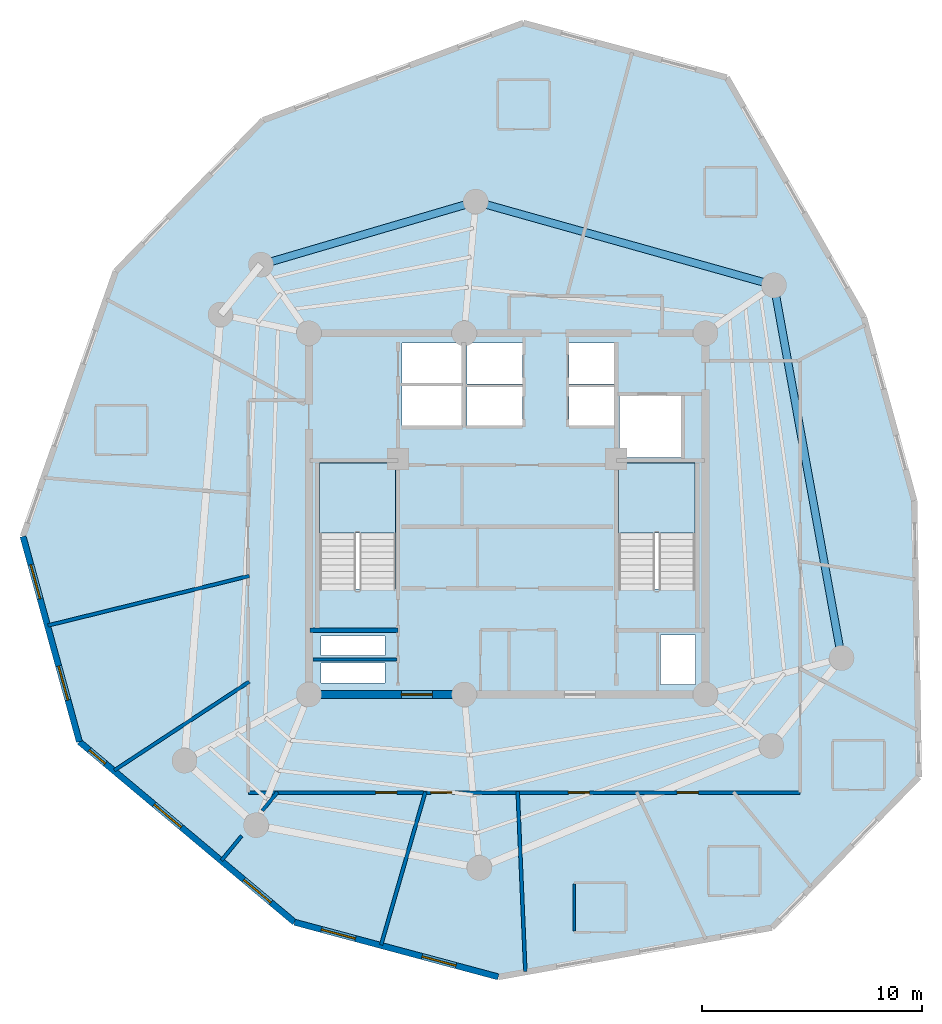
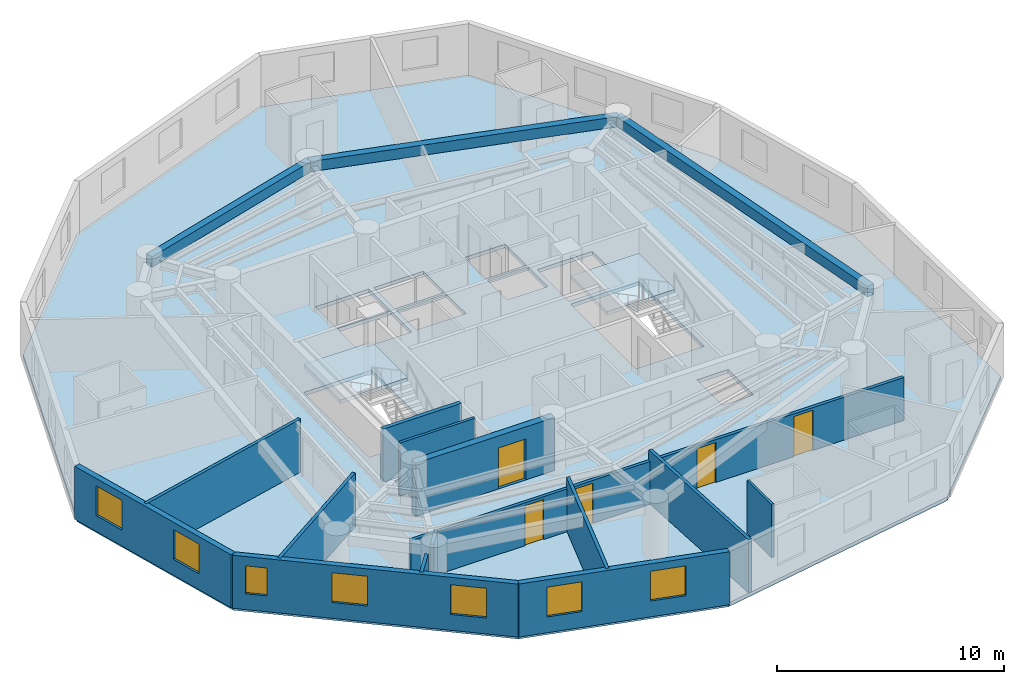
# One storey, part 2 of 7: 14 walls, 7 windows, 5 doors, 3 beams, 3 slabs, 12 openings, 2 elements without a shape of their own.
"""IFC4 building model written with IfcOpenShell, lengths in metres."""

from ifc_helpers import new_model, si_unit, direction, frame, frame_2d, origin, origin_with_axes, origin_2d, place, context, subcontext, project, spatial, polyline, rectangle, outline, extrude, source, transform, mapped, material, layer, layer_set, material_profile, profile_set, type_object, element, fill, aggregate, save


model = new_model("IFC4")

# Units and contexts
model_context = context("Model", 3, precision=1e-05, world=origin(), true_north=direction((0.0, 1.0)))
body_context = subcontext(model_context, "Body", "Model", "MODEL_VIEW")
ifc_project = project(units=[si_unit("LENGTHUNIT", "METRE"), si_unit("AREAUNIT", "SQUARE_METRE"), si_unit("VOLUMEUNIT", "CUBIC_METRE"), si_unit("PLANEANGLEUNIT", "RADIAN"), si_unit("MASSUNIT", "GRAM", prefix="KILO")], contexts=[model_context])

# Site, building, storey
site_placement = place(None, origin())
site = spatial("IfcSite", under=ifc_project, at=site_placement, CompositionType="ELEMENT")
building_placement = place(site_placement, origin())
building = spatial("IfcBuilding", under=site, at=building_placement, Name="Karkom Vertical University and Central Library", CompositionType="ELEMENT")
storey_placement = place(building_placement, frame((0.0, 0.0, 226.050048828125)))
storey = spatial("IfcBuildingStorey", under=building, at=storey_placement, Name="L66", CompositionType="ELEMENT", Elevation=226.050048828125)

# Beams
ifc_material_1 = material(Name="Precast concrete C45/55", Category="concrete")
ifc_material_profile = material_profile(ifc_material_1, rectangle(XDim=0.35009765625, YDim=0.550048828125, at=origin_2d()), Name="SPB-350x550")
ifc_profile_set = profile_set([ifc_material_profile], Name="Precast concrete C45/55")
beam_type = type_object("IfcBeamType", Name="STR-BM-SP-2", PredefinedType="SPANDREL", material=ifc_profile_set)
shared_shape_1 = source(origin_with_axes(), body_context, "Body", "SweptSolid", [
    extrude(rectangle(XDim=0.35009765625, YDim=0.550048828125, at=origin_2d()), origin(), (0.0, 0.0, 1.0), 17.19970703125),
])
beam_1_placement = place(storey_placement, frame((43.681884765625, 19.9560546875, 2.574951171875), z_axis=(-0.178423249727, 0.983953832228, 0.0), x_axis=(-0.983953832228, -0.178423249727, 0.0)))
element("IfcBeam", 1, at=beam_1_placement, inside=storey, type_object=beam_type, Name="Level 66 Perimeter Spandrel Beam 01", PredefinedType="SPANDREL", context=body_context, shape_type="MappedRepresentation", body=[
    mapped(shared_shape_1, transform((0.0, 0.0, 0.0), scale=1.0)),
])
shared_shape_2 = source(origin_with_axes(), body_context, "Body", "SweptSolid", [
    extrude(rectangle(XDim=0.35009765625, YDim=0.550048828125, at=origin_2d()), origin(), (0.0, 0.0, 1.0), 14.0625),
])
beam_2_placement = place(storey_placement, frame((40.613037109375, 36.8798828125, 2.574951171875), z_axis=(-0.962854853531, 0.270019501207, 0.0), x_axis=(-0.270019501207, -0.962854853531, 0.0)))
element("IfcBeam", 2, at=beam_2_placement, inside=storey, type_object=beam_type, Name="Level 66 Perimeter Spandrel Beam 02", PredefinedType="SPANDREL", context=body_context, shape_type="MappedRepresentation", body=[
    mapped(shared_shape_2, transform((0.0, 0.0, 0.0), scale=1.0)),
])
shared_shape_3 = source(origin_with_axes(), body_context, "Body", "SweptSolid", [
    extrude(rectangle(XDim=0.35009765625, YDim=0.550048828125, at=origin_2d()), origin(), (0.0, 0.0, 1.0), 10.164794921875),
])
beam_3_placement = place(storey_placement, frame((27.072998046875, 40.677001953125, 2.574951171875), z_axis=(-0.959485124536, -0.281759286971, 0.0), x_axis=(0.281759286971, -0.959485124536, 0.0)))
element("IfcBeam", 3, at=beam_3_placement, inside=storey, type_object=beam_type, Name="Level 66 Perimeter Spandrel Beam 03", PredefinedType="SPANDREL", context=body_context, shape_type="MappedRepresentation", body=[
    mapped(shared_shape_3, transform((0.0, 0.0, 0.0), scale=1.0)),
])

# Stair, slab
ifc_material_2 = material(Name="Concrete C45/55", Category="concrete")
stair_type = type_object("IfcStairType", Name="INT-STR-ST-MAIN", PredefinedType="HALF_TURN_STAIR", material=ifc_material_2)
stair_1_placement = place(storey_placement, origin())
stair_1 = element("IfcStair", 4, at=stair_1_placement, inside=storey, type_object=stair_type, Name="Level 66 Tower Protected Exit Stair ST-1", PredefinedType="HALF_TURN_STAIR")
ifc_layer_1 = layer(ifc_material_2, 0.199951171875)
ifc_layer_set_1 = layer_set([ifc_layer_1], Name="Concrete C45/55")
slab_type_1 = type_object("IfcSlabType", Name="INT-SLB-LANDING", PredefinedType="LANDING", material=ifc_layer_set_1)
slab_1_placement = place(storey_placement, frame((0.0, 0.0, 1.324951171875)))
slab_1 = element("IfcSlab", 5, at=slab_1_placement, type_object=slab_type_1, Name="ST-1 landing 1", PredefinedType="LANDING", context=body_context, shape_type="SweptSolid", body=[
    extrude(outline(polyline([(23.43994140625, 25.6298828125), (23.43994140625, 28.820068359375), (19.97998046875, 28.820068359375), (19.97998046875, 25.6298828125), (23.43994140625, 25.6298828125)])), origin(), (0.0, 0.0, 1.0), 0.199951171875),
])
aggregate(stair_1, [slab_1])

stair_2_placement = place(storey_placement, origin())
stair_2 = element("IfcStair", 6, at=stair_2_placement, inside=storey, type_object=stair_type, Name="Level 66 Tower Protected Exit Stair ST-2", PredefinedType="HALF_TURN_STAIR")
slab_2_placement = place(storey_placement, frame((0.0, 0.0, 1.324951171875)))
slab_2 = element("IfcSlab", 7, at=slab_2_placement, type_object=slab_type_1, Name="ST-2 landing 1", PredefinedType="LANDING", context=body_context, shape_type="SweptSolid", body=[
    extrude(outline(polyline([(37.02001953125, 25.6298828125), (37.02001953125, 28.820068359375), (33.56005859375, 28.820068359375), (33.56005859375, 25.6298828125), (37.02001953125, 25.6298828125)])), origin(), (0.0, 0.0, 1.0), 0.199951171875),
])
aggregate(stair_2, [slab_2])

# Slab
ifc_material_3 = material(Name="Concrete C40/50", Category="concrete")
ifc_layer_2 = layer(ifc_material_3, 0.199951171875)
ifc_layer_set_2 = layer_set([ifc_layer_2], Name="Concrete C40/50")
slab_type_2 = type_object("IfcSlabType", Name="STR-SLB-FLR-200", PredefinedType="FLOOR", material=ifc_layer_set_2)
slab_3_placement = place(storey_placement, frame((0.0, 0.0, -0.199951171875)))
element("IfcSlab", 8, at=slab_3_placement, inside=storey, type_object=slab_type_2, Name="Level 66 Tower Structural Floor Slab", PredefinedType="FLOOR", context=body_context, shape_type="SweptSolid", body=[
    extrude(outline(polyline([(6.518798828125, 25.4736328125), (9.0791015625, 16.1533203125), (18.847412109375, 7.959716796875), (28.09619140625, 5.477783203125), (40.5166015625, 7.71728515625), (47.185546875, 14.560791015625), (46.976318359375, 27.1005859375), (44.6904296875, 35.422119140625), (38.46435546875, 46.30908203125), (29.2353515625, 48.78564453125), (17.413818359375, 44.3662109375), (10.730712890625, 37.5078125), (6.518798828125, 25.4736328125)]), holes=[polyline([(19.97998046875, 23.0849609375), (23.43994140625, 23.0849609375), (23.43994140625, 28.820068359375), (19.97998046875, 28.820068359375), (19.97998046875, 23.0849609375)]), polyline([(33.56005859375, 23.0849609375), (37.02001953125, 23.0849609375), (37.02001953125, 28.820068359375), (33.56005859375, 28.820068359375), (33.56005859375, 23.0849609375)]), polyline([(26.679931640625, 30.5), (29.199951171875, 30.5), (29.199951171875, 32.25), (26.679931640625, 32.25), (26.679931640625, 30.5)]), polyline([(26.679931640625, 32.39990234375), (29.199951171875, 32.39990234375), (29.199951171875, 34.25), (26.679931640625, 34.25), (26.679931640625, 32.39990234375)]), polyline([(31.300048828125, 30.5), (33.35009765625, 30.5), (33.35009765625, 32.25), (31.300048828125, 32.25), (31.300048828125, 30.5)]), polyline([(31.300048828125, 32.39990234375), (33.35009765625, 32.39990234375), (33.35009765625, 34.25), (31.300048828125, 34.25), (31.300048828125, 32.39990234375)]), polyline([(23.719970703125, 30.47998046875), (26.429931640625, 30.47998046875), (26.429931640625, 32.320068359375), (23.719970703125, 32.320068359375), (23.719970703125, 30.47998046875)]), polyline([(23.719970703125, 32.419921875), (26.429931640625, 32.419921875), (26.429931640625, 34.260009765625), (23.719970703125, 34.260009765625), (23.719970703125, 32.419921875)]), polyline([(33.60009765625, 29.050048828125), (36.39990234375, 29.050048828125), (36.39990234375, 31.85009765625), (33.60009765625, 31.85009765625), (33.60009765625, 29.050048828125)]), polyline([(20.050048828125, 18.820068359375), (22.949951171875, 18.820068359375), (22.949951171875, 19.719970703125), (20.050048828125, 19.719970703125), (20.050048828125, 18.820068359375)]), polyline([(20.050048828125, 20.06005859375), (22.949951171875, 20.06005859375), (22.949951171875, 20.9599609375), (20.050048828125, 20.9599609375), (20.050048828125, 20.06005859375)]), polyline([(35.4599609375, 18.760009765625), (37.0400390625, 18.760009765625), (37.0400390625, 21.010009765625), (35.4599609375, 21.010009765625), (35.4599609375, 18.760009765625)])]), origin(), (0.0, 0.0, 1.0), 0.199951171875),
])

# Wall, openings, windows
ifc_material_4 = material(Name="Brick-faced precast concrete C45/55", Category="masonry")
ifc_layer_3 = layer(ifc_material_4, 0.280029296875)
ifc_layer_set_3 = layer_set([ifc_layer_3], Name="Brick-faced precast concrete C45/55")
wall_type_1 = type_object("IfcWallType", Name="ENV-WL-BRK-280", PredefinedType="SOLIDWALL", material=ifc_layer_set_3)
wall_1_placement = place(storey_placement, frame((6.518798828125, 25.4736328125, 0.0), z_axis=(0.0, 0.0, 1.0), x_axis=(0.264888767951, -0.964278974474, 0.0)))
wall_1 = element("IfcWall", 9, at=wall_1_placement, inside=storey, type_object=wall_type_1, Name="Level 66 Brick-Faced Precast Facade Wall 01", PredefinedType="SOLIDWALL", context=body_context, shape_type="SweptSolid", body=[
    extrude(rectangle(XDim=9.66552734375, YDim=0.280029296875, at=frame_2d((4.832763671875, 0.0))), origin(), (0.0, 0.0, 1.0), 2.849853515625),
])
opening_1_placement = place(wall_1_placement, frame((1.328125, 0.0, 0.85009765625)))
opening_1 = element("IfcOpeningElement", 10, at=opening_1_placement, cuts=wall_1, Name="Opening WN-10", PredefinedType="OPENING", context=body_context, shape_type="SweptSolid", body=[
    extrude(rectangle(XDim=1.60009765625, YDim=1.60009765625, at=frame_2d((0.800048828125, 0.800048828125))), frame((0.0, 0.14990234375, 0.0), z_axis=(0.0, -1.0, 0.0), x_axis=(1.0, 0.0, 0.0)), (0.0, 0.0, 1.0), 0.300048828125),
])
opening_2_placement = place(wall_1_placement, frame((6.100830078125, 0.0, 0.85009765625)))
opening_2 = element("IfcOpeningElement", 11, at=opening_2_placement, cuts=wall_1, Name="Opening WN-10", PredefinedType="OPENING", context=body_context, shape_type="SweptSolid", body=[
    extrude(rectangle(XDim=1.60009765625, YDim=1.60009765625, at=frame_2d((0.800048828125, 0.800048828125))), frame((0.0, 0.14990234375, 0.0), z_axis=(0.0, -1.0, 0.0), x_axis=(1.0, 0.0, 0.0)), (0.0, 0.0, 1.0), 0.300048828125),
])
ifc_material_5 = material(Name="Aluminium thermal-break frame with solar-control IGU", Category="aluminium")
window_type_1 = type_object("IfcWindowType", Name="ENV-WIN-WN-10", PartitioningType="SINGLE_PANEL", PredefinedType="WINDOW", material=ifc_material_5)
shared_shape_4 = source(origin_with_axes(), body_context, "Body", "SweptSolid", [
    extrude(rectangle(XDim=1.60009765625, YDim=1.60009765625, at=frame_2d((0.800048828125, 0.800048828125))), frame((0.0, 0.030029296875, 0.0), z_axis=(0.0, -1.0, 0.0), x_axis=(1.0, 0.0, 0.0)), (0.0, 0.0, 1.0), 0.06005859375),
])
window_1_placement = place(opening_1_placement, origin())
window_1 = element("IfcWindow", 12, at=window_1_placement, inside=storey, type_object=window_type_1, Name="Level 66 Punched Window 1.1", OverallHeight=1.60009765625, OverallWidth=1.60009765625, PartitioningType="SINGLE_PANEL", PredefinedType="WINDOW", context=body_context, shape_type="MappedRepresentation", body=[
    mapped(shared_shape_4, transform((0.0, 0.0, 0.0), scale=1.0)),
])
fill(opening_1, window_1)
window_2_placement = place(opening_2_placement, origin())
window_2 = element("IfcWindow", 13, at=window_2_placement, inside=storey, type_object=window_type_1, Name="Level 66 Punched Window 1.2", OverallHeight=1.60009765625, OverallWidth=1.60009765625, PartitioningType="SINGLE_PANEL", PredefinedType="WINDOW", context=body_context, shape_type="MappedRepresentation", body=[
    mapped(shared_shape_4, transform((0.0, 0.0, 0.0), scale=1.0)),
])
fill(opening_2, window_2)

wall_2_placement = place(storey_placement, frame((9.0791015625, 16.1533203125, 0.0), z_axis=(0.0, 0.0, 1.0), x_axis=(0.766159608143, -0.64265033638, 0.0)))
wall_2 = element("IfcWall", 14, at=wall_2_placement, inside=storey, type_object=wall_type_1, Name="Level 66 Brick-Faced Precast Facade Wall 02", PredefinedType="SOLIDWALL", context=body_context, shape_type="SweptSolid", body=[
    extrude(rectangle(XDim=12.749755859375, YDim=0.280029296875, at=frame_2d((6.375, 0.0))), origin(), (0.0, 0.0, 1.0), 2.849853515625),
])
opening_3_placement = place(wall_2_placement, frame((0.583984375, 0.0, 0.85009765625)))
opening_3 = element("IfcOpeningElement", 15, at=opening_3_placement, cuts=wall_2, Name="Opening WN-12", PredefinedType="OPENING", context=body_context, shape_type="SweptSolid", body=[
    extrude(rectangle(XDim=0.949951171875, YDim=1.5, at=frame_2d((0.47509765625, 0.75))), frame((0.0, 0.14990234375, 0.0), z_axis=(0.0, -1.0, 0.0), x_axis=(1.0, 0.0, 0.0)), (0.0, 0.0, 1.0), 0.300048828125),
])
opening_4_placement = place(wall_2_placement, frame((4.430908203125, 0.0, 0.85009765625)))
opening_4 = element("IfcOpeningElement", 16, at=opening_4_placement, cuts=wall_2, Name="Opening WN-10", PredefinedType="OPENING", context=body_context, shape_type="SweptSolid", body=[
    extrude(rectangle(XDim=1.60009765625, YDim=1.60009765625, at=frame_2d((0.800048828125, 0.800048828125))), frame((0.0, 0.14990234375, 0.0), z_axis=(0.0, -1.0, 0.0), x_axis=(1.0, 0.0, 0.0)), (0.0, 0.0, 1.0), 0.300048828125),
])
opening_5_placement = place(wall_2_placement, frame((9.746826171875, 0.0, 0.85009765625)))
opening_5 = element("IfcOpeningElement", 17, at=opening_5_placement, cuts=wall_2, Name="Opening WN-10", PredefinedType="OPENING", context=body_context, shape_type="SweptSolid", body=[
    extrude(rectangle(XDim=1.60009765625, YDim=1.60009765625, at=frame_2d((0.800048828125, 0.800048828125))), frame((0.0, 0.14990234375, 0.0), z_axis=(0.0, -1.0, 0.0), x_axis=(1.0, 0.0, 0.0)), (0.0, 0.0, 1.0), 0.300048828125),
])
window_type_2 = type_object("IfcWindowType", Name="ENV-WIN-WN-12", PartitioningType="SINGLE_PANEL", PredefinedType="WINDOW", material=ifc_material_5)
shared_shape_5 = source(origin_with_axes(), body_context, "Body", "SweptSolid", [
    extrude(rectangle(XDim=0.949951171875, YDim=1.5, at=frame_2d((0.47509765625, 0.75))), frame((0.0, 0.030029296875, 0.0), z_axis=(0.0, -1.0, 0.0), x_axis=(1.0, 0.0, 0.0)), (0.0, 0.0, 1.0), 0.06005859375),
])
window_3_placement = place(opening_3_placement, origin())
window_3 = element("IfcWindow", 18, at=window_3_placement, inside=storey, type_object=window_type_2, Name="Level 66 Punched Window 2.1", OverallHeight=1.5, OverallWidth=0.949951171875, PartitioningType="SINGLE_PANEL", PredefinedType="WINDOW", context=body_context, shape_type="MappedRepresentation", body=[
    mapped(shared_shape_5, transform((0.0, 0.0, 0.0), scale=1.0)),
])
fill(opening_3, window_3)
window_4_placement = place(opening_4_placement, origin())
window_4 = element("IfcWindow", 19, at=window_4_placement, inside=storey, type_object=window_type_1, Name="Level 66 Punched Window 2.2", OverallHeight=1.60009765625, OverallWidth=1.60009765625, PartitioningType="SINGLE_PANEL", PredefinedType="WINDOW", context=body_context, shape_type="MappedRepresentation", body=[
    mapped(shared_shape_4, transform((0.0, 0.0, 0.0), scale=1.0)),
])
fill(opening_4, window_4)
window_5_placement = place(opening_5_placement, origin())
window_5 = element("IfcWindow", 20, at=window_5_placement, inside=storey, type_object=window_type_1, Name="Level 66 Punched Window 2.3", OverallHeight=1.60009765625, OverallWidth=1.60009765625, PartitioningType="SINGLE_PANEL", PredefinedType="WINDOW", context=body_context, shape_type="MappedRepresentation", body=[
    mapped(shared_shape_4, transform((0.0, 0.0, 0.0), scale=1.0)),
])
fill(opening_5, window_5)

wall_3_placement = place(storey_placement, frame((18.847412109375, 7.959716796875, 0.0), z_axis=(0.0, 0.0, 1.0), x_axis=(0.965828362132, -0.259182512722, 0.0)))
wall_3 = element("IfcWall", 21, at=wall_3_placement, inside=storey, type_object=wall_type_1, Name="Level 66 Brick-Faced Precast Facade Wall 03", PredefinedType="SOLIDWALL", context=body_context, shape_type="SweptSolid", body=[
    extrude(rectangle(XDim=9.575927734375, YDim=0.280029296875, at=frame_2d((4.7880859375, 0.0))), origin(), (0.0, 0.0, 1.0), 2.849853515625),
])
opening_6_placement = place(wall_3_placement, frame((1.260986328125, 0.0, 0.85009765625)))
opening_6 = element("IfcOpeningElement", 22, at=opening_6_placement, cuts=wall_3, Name="Opening WN-10", PredefinedType="OPENING", context=body_context, shape_type="SweptSolid", body=[
    extrude(rectangle(XDim=1.60009765625, YDim=1.60009765625, at=frame_2d((0.800048828125, 0.800048828125))), frame((0.0, 0.14990234375, 0.0), z_axis=(0.0, -1.0, 0.0), x_axis=(1.0, 0.0, 0.0)), (0.0, 0.0, 1.0), 0.300048828125),
])
opening_7_placement = place(wall_3_placement, frame((5.989013671875, 0.0, 0.85009765625)))
opening_7 = element("IfcOpeningElement", 23, at=opening_7_placement, cuts=wall_3, Name="Opening WN-10", PredefinedType="OPENING", context=body_context, shape_type="SweptSolid", body=[
    extrude(rectangle(XDim=1.60009765625, YDim=1.60009765625, at=frame_2d((0.800048828125, 0.800048828125))), frame((0.0, 0.14990234375, 0.0), z_axis=(0.0, -1.0, 0.0), x_axis=(1.0, 0.0, 0.0)), (0.0, 0.0, 1.0), 0.300048828125),
])
window_6_placement = place(opening_6_placement, origin())
window_6 = element("IfcWindow", 24, at=window_6_placement, inside=storey, type_object=window_type_1, Name="Level 66 Punched Window 3.1", OverallHeight=1.60009765625, OverallWidth=1.60009765625, PartitioningType="SINGLE_PANEL", PredefinedType="WINDOW", context=body_context, shape_type="MappedRepresentation", body=[
    mapped(shared_shape_4, transform((0.0, 0.0, 0.0), scale=1.0)),
])
fill(opening_6, window_6)
window_7_placement = place(opening_7_placement, origin())
window_7 = element("IfcWindow", 25, at=window_7_placement, inside=storey, type_object=window_type_1, Name="Level 66 Punched Window 3.2", OverallHeight=1.60009765625, OverallWidth=1.60009765625, PartitioningType="SINGLE_PANEL", PredefinedType="WINDOW", context=body_context, shape_type="MappedRepresentation", body=[
    mapped(shared_shape_4, transform((0.0, 0.0, 0.0), scale=1.0)),
])
fill(opening_7, window_7)

# Wall, openings, doors
ifc_material_6 = material(Name="Insulated metal-stud drywall 160mm", Category="gypsum")
ifc_layer_4 = layer(ifc_material_6, 0.159912109375)
ifc_layer_set_4 = layer_set([ifc_layer_4], Name="Insulated metal-stud drywall 160mm")
wall_type_2 = type_object("IfcWallType", Name="INT-WL-COR-160", PredefinedType="PARTITIONING", material=ifc_layer_set_4)
wall_4_placement = place(storey_placement, frame((41.800048828125, 13.85009765625, 0.0), z_axis=(0.0, 0.0, 1.0), x_axis=(-1.0, 0.0, 0.0)))
wall_4 = element("IfcWall", 26, at=wall_4_placement, inside=storey, type_object=wall_type_2, Name="Level 66 Interior Partition Wall L66-CORW-CW-001", PredefinedType="PARTITIONING", context=body_context, shape_type="SweptSolid", body=[
    extrude(rectangle(XDim=25.050048828125, YDim=0.159912109375, at=frame_2d((12.52490234375, 0.0))), origin(), (0.0, 0.0, 1.0), 2.300048828125),
])
opening_8_placement = place(wall_4_placement, frame((9.563232421875, 0.0, 0.0)))
opening_8 = element("IfcOpeningElement", 27, at=opening_8_placement, cuts=wall_4, Name="Opening FD-RM2", PredefinedType="OPENING", context=body_context, shape_type="SweptSolid", body=[
    extrude(rectangle(XDim=0.9599609375, YDim=2.14990234375, at=frame_2d((0.47998046875, 1.074951171875))), frame((0.0, 0.08984375, 0.0), z_axis=(0.0, -1.0, 0.0), x_axis=(1.0, 0.0, 0.0)), (0.0, 0.0, 1.0), 0.179931640625),
])
opening_9_placement = place(wall_4_placement, frame((4.620849609375, 0.0, 0.0)))
opening_9 = element("IfcOpeningElement", 28, at=opening_9_placement, cuts=wall_4, Name="Opening FD-RM2", PredefinedType="OPENING", context=body_context, shape_type="SweptSolid", body=[
    extrude(rectangle(XDim=0.9599609375, YDim=2.14990234375, at=frame_2d((0.47998046875, 1.074951171875))), frame((0.0, 0.08984375, 0.0), z_axis=(0.0, -1.0, 0.0), x_axis=(1.0, 0.0, 0.0)), (0.0, 0.0, 1.0), 0.179931640625),
])
opening_10_placement = place(wall_4_placement, frame((18.3125, 0.0, 0.0)))
opening_10 = element("IfcOpeningElement", 29, at=opening_10_placement, cuts=wall_4, Name="Opening FD-RM2", PredefinedType="OPENING", context=body_context, shape_type="SweptSolid", body=[
    extrude(rectangle(XDim=0.9599609375, YDim=2.14990234375, at=frame_2d((0.47998046875, 1.074951171875))), frame((0.0, 0.08984375, 0.0), z_axis=(0.0, -1.0, 0.0), x_axis=(1.0, 0.0, 0.0)), (0.0, 0.0, 1.0), 0.179931640625),
])
opening_11_placement = place(wall_4_placement, frame((15.8076171875, 0.0, 0.0)))
opening_11 = element("IfcOpeningElement", 30, at=opening_11_placement, cuts=wall_4, Name="Opening FD-RM2", PredefinedType="OPENING", context=body_context, shape_type="SweptSolid", body=[
    extrude(rectangle(XDim=0.9599609375, YDim=2.14990234375, at=frame_2d((0.47998046875, 1.074951171875))), frame((0.0, 0.08984375, 0.0), z_axis=(0.0, -1.0, 0.0), x_axis=(1.0, 0.0, 0.0)), (0.0, 0.0, 1.0), 0.179931640625),
])
ifc_material_7 = material(Name="Fire-rated oak veneer door", Category="wood")
door_type_1 = type_object("IfcDoorType", Name="INT-DR-FRM2", OperationType="NOTDEFINED", PredefinedType="DOOR", material=ifc_material_7)
shared_shape_6 = source(origin_with_axes(), body_context, "Body", "SweptSolid", [
    extrude(rectangle(XDim=0.9599609375, YDim=2.14990234375, at=frame_2d((0.47998046875, 1.074951171875))), frame((0.0, 0.02490234375, 0.0), z_axis=(0.0, -1.0, 0.0), x_axis=(1.0, 0.0, 0.0)), (0.0, 0.0, 1.0), 0.050048828125),
])
door_1_placement = place(opening_8_placement, origin())
door_1 = element("IfcDoor", 31, at=door_1_placement, inside=storey, type_object=door_type_1, Name="Level 66 Room Entry Door 410", OperationType="SINGLE_SWING_RIGHT", OverallHeight=2.14990234375, OverallWidth=0.9599609375, PredefinedType="DOOR", context=body_context, shape_type="MappedRepresentation", body=[
    mapped(shared_shape_6, transform((0.0, 0.0, 0.0), scale=1.0)),
])
fill(opening_8, door_1)
door_2_placement = place(opening_9_placement, origin())
door_2 = element("IfcDoor", 32, at=door_2_placement, inside=storey, type_object=door_type_1, Name="Level 66 Room Entry Door 412", OperationType="SINGLE_SWING_RIGHT", OverallHeight=2.14990234375, OverallWidth=0.9599609375, PredefinedType="DOOR", context=body_context, shape_type="MappedRepresentation", body=[
    mapped(shared_shape_6, transform((0.0, 0.0, 0.0), scale=1.0)),
])
fill(opening_9, door_2)
door_3_placement = place(opening_10_placement, origin())
door_3 = element("IfcDoor", 33, at=door_3_placement, inside=storey, type_object=door_type_1, Name="Level 66 Room Entry Door 303", OperationType="SINGLE_SWING_RIGHT", OverallHeight=2.14990234375, OverallWidth=0.9599609375, PredefinedType="DOOR", context=body_context, shape_type="MappedRepresentation", body=[
    mapped(shared_shape_6, transform((0.0, 0.0, 0.0), scale=1.0)),
])
fill(opening_10, door_3)
door_4_placement = place(opening_11_placement, origin())
door_4 = element("IfcDoor", 34, at=door_4_placement, inside=storey, type_object=door_type_1, Name="Level 66 Room Entry Door 304", OperationType="SINGLE_SWING_LEFT", OverallHeight=2.14990234375, OverallWidth=0.9599609375, PredefinedType="DOOR", context=body_context, shape_type="MappedRepresentation", body=[
    mapped(shared_shape_6, transform((0.0, 0.0, 0.0), scale=1.0)),
])
fill(opening_11, door_4)

# Walls
wall_5_placement = place(storey_placement, frame((16.793701171875, 23.6826171875, 0.0), z_axis=(0.0, 0.0, 1.0), x_axis=(-0.971055618233, -0.238853482909, 0.0)))
element("IfcWall", 35, at=wall_5_placement, inside=storey, type_object=wall_type_2, Name="Level 66 Interior Partition Wall L66-PW-001", PredefinedType="PARTITIONING", context=body_context, shape_type="SweptSolid", body=[
    extrude(rectangle(XDim=9.411865234375, YDim=0.159912109375, at=frame_2d((4.7060546875, 0.0))), origin(), (0.0, 0.0, 1.0), 2.849853515625),
])
wall_6_placement = place(storey_placement, frame((28.97705078125, 13.89501953125, 0.0), z_axis=(0.0, 0.0, 1.0), x_axis=(0.042574320149, -0.999093302582, 0.0)))
element("IfcWall", 36, at=wall_6_placement, inside=storey, type_object=wall_type_2, Name="Level 66 Interior Partition Wall L66-PW-007", PredefinedType="PARTITIONING", context=body_context, shape_type="SweptSolid", body=[
    extrude(rectangle(XDim=8.17724609375, YDim=0.159912109375, at=frame_2d((4.088623046875, 0.0))), origin(), (0.0, 0.0, 1.0), 2.849853515625),
])
wall_7_placement = place(storey_placement, frame((16.78759765625, 18.87890625, 0.0), z_axis=(0.0, 0.0, 1.0), x_axis=(-0.835846204998, -0.548963679664, 0.0)))
element("IfcWall", 37, at=wall_7_placement, inside=storey, type_object=wall_type_2, Name="Level 66 Interior Partition Wall L66-PW-003", PredefinedType="PARTITIONING", context=body_context, shape_type="SweptSolid", body=[
    extrude(rectangle(XDim=7.32373046875, YDim=0.159912109375, at=frame_2d((3.661865234375, 0.0))), origin(), (0.0, 0.0, 1.0), 2.849853515625),
])
wall_8_placement = place(storey_placement, frame((24.78662109375, 13.87890625, 0.0), z_axis=(0.0, 0.0, 1.0), x_axis=(-0.277907263558, -0.960607907974, 0.0)))
element("IfcWall", 38, at=wall_8_placement, inside=storey, type_object=wall_type_2, Name="Level 66 Interior Partition Wall L66-PW-006", PredefinedType="PARTITIONING", context=body_context, shape_type="SweptSolid", body=[
    extrude(rectangle(XDim=7.232666015625, YDim=0.159912109375, at=frame_2d((3.6162109375, 0.0))), origin(), (0.0, 0.0, 1.0), 2.849853515625),
])
wall_9_placement = place(storey_placement, frame((16.443115234375, 11.880615234375, 0.0), z_axis=(0.0, 0.0, 1.0), x_axis=(-0.633849489402, -0.773456414276, 0.0)))
element("IfcWall", 39, at=wall_9_placement, inside=storey, type_object=wall_type_2, Name="Level 66 Interior Partition Wall L66-PW-005", PredefinedType="PARTITIONING", context=body_context, shape_type="SweptSolid", body=[
    extrude(rectangle(XDim=1.43408203125, YDim=0.159912109375, at=frame_2d((0.717041015625, 0.0))), origin(), (0.0, 0.0, 1.0), 2.849853515625),
])
wall_10_placement = place(storey_placement, frame((18.07568359375, 13.873291015625, 0.0), z_axis=(0.0, 0.0, 1.0), x_axis=(-0.633650360899, -0.773619557749, 0.0)))
element("IfcWall", 40, at=wall_10_placement, inside=storey, type_object=wall_type_2, Name="Level 66 Interior Partition Wall L66-PW-004", PredefinedType="PARTITIONING", context=body_context, shape_type="SweptSolid", body=[
    extrude(rectangle(XDim=1.095458984375, YDim=0.159912109375, at=frame_2d((0.5478515625, 0.0))), origin(), (0.0, 0.0, 1.0), 2.349853515625),
])
ifc_material_8 = material(Name="Moisture-resistant drywall 120mm", Category="gypsum")
ifc_layer_5 = layer(ifc_material_8, 0.1201171875)
ifc_layer_set_5 = layer_set([ifc_layer_5], Name="Moisture-resistant drywall 120mm")
wall_type_3 = type_object("IfcWallType", Name="INT-WL-INT-120F", PredefinedType="PARTITIONING", material=ifc_layer_set_5)
wall_11_placement = place(storey_placement, frame((31.537109375, 9.698974609375, 0.0), z_axis=(0.0, 0.0, 1.0), x_axis=(0.0, -1.0, 0.0)))
element("IfcWall", 41, at=wall_11_placement, inside=storey, type_object=wall_type_3, Name="Level 66 Interior Partition Wall L66-ENS-45-W", PredefinedType="PARTITIONING", context=body_context, shape_type="SweptSolid", body=[
    extrude(rectangle(XDim=2.139892578125, YDim=0.1201171875, at=frame_2d((1.06982421875, 0.0))), origin(), (0.0, 0.0, 1.0), 2.849853515625),
])
ifc_material_9 = material(Name="Metal-stud gypsum partition 140mm", Category="gypsum")
ifc_layer_6 = layer(ifc_material_9, 0.139892578125)
ifc_layer_set_6 = layer_set([ifc_layer_6], Name="Metal-stud gypsum partition 140mm")
wall_type_4 = type_object("IfcWallType", Name="INT-WL-SUB-140H", PredefinedType="PARTITIONING", material=ifc_layer_set_6)
wall_12_placement = place(storey_placement, frame((19.681884765625, 19.889892578125, 0.0), z_axis=(0.0, 0.0, 1.0), x_axis=(1.0, 0.0, 0.0)))
element("IfcWall", 42, at=wall_12_placement, inside=storey, type_object=wall_type_4, Name="Level 66 Interior Partition Wall L66-CW-RIS-W", PredefinedType="PARTITIONING", context=body_context, shape_type="SweptSolid", body=[
    extrude(rectangle(XDim=3.8154296875, YDim=0.139892578125, at=frame_2d((1.90771484375, 0.0))), origin(), (0.0, 0.0, 1.0), 2.849853515625),
])

# Wall, opening, door
ifc_layer_7 = layer(ifc_material_2, 0.35009765625)
ifc_layer_set_7 = layer_set([ifc_layer_7], Name="Concrete C45/55")
wall_type_5 = type_object("IfcWallType", Name="STR-WL-CW-350", PredefinedType="SHEAR", material=ifc_layer_set_7)
wall_13_placement = place(storey_placement, frame((19.5, 18.300048828125, 0.0), z_axis=(0.0, 0.0, 1.0), x_axis=(1.0, 0.0, 0.0)))
wall_13 = element("IfcWall", 43, at=wall_13_placement, inside=storey, type_object=wall_type_5, Name="Level 66 Central Core Shear Wall SW1", PredefinedType="SHEAR", context=body_context, shape_type="SweptSolid", body=[
    extrude(rectangle(XDim=7.050048828125, YDim=0.35009765625, at=frame_2d((3.52490234375, 0.0))), origin(), (0.0, 0.0, 1.0), 2.849853515625),
])
opening_12_placement = place(wall_13_placement, frame((4.199951171875, 0.0, 0.0)))
opening_12 = element("IfcOpeningElement", 44, at=opening_12_placement, cuts=wall_13, Name="Opening FD-CLB", PredefinedType="OPENING", context=body_context, shape_type="SweptSolid", body=[
    extrude(rectangle(XDim=1.39990234375, YDim=2.199951171875, at=frame_2d((0.699951171875, 1.10009765625))), frame((0.0, 0.18505859375, 0.0), z_axis=(0.0, -1.0, 0.0), x_axis=(1.0, 0.0, 0.0)), (0.0, 0.0, 1.0), 0.3701171875),
])
ifc_material_10 = material(Name="Painted steel fire door", Category="steel")
door_type_2 = type_object("IfcDoorType", Name="INT-DR-CLB", OperationType="DOUBLE_DOOR_SINGLE_SWING", PredefinedType="DOOR", material=ifc_material_10)
shared_shape_7 = source(origin_with_axes(), body_context, "Body", "SweptSolid", [
    extrude(rectangle(XDim=1.39990234375, YDim=2.199951171875, at=frame_2d((0.699951171875, 1.10009765625))), frame((0.0, 0.02490234375, 0.0), z_axis=(0.0, -1.0, 0.0), x_axis=(1.0, 0.0, 0.0)), (0.0, 0.0, 1.0), 0.050048828125),
])
door_5_placement = place(opening_12_placement, origin())
door_5 = element("IfcDoor", 45, at=door_5_placement, inside=storey, type_object=door_type_2, Name="Level 66 South Core Lobby West Exit Door", OperationType="DOUBLE_DOOR_SINGLE_SWING", OverallHeight=2.199951171875, OverallWidth=1.39990234375, PredefinedType="DOOR", context=body_context, shape_type="MappedRepresentation", body=[
    mapped(shared_shape_7, transform((0.0, 0.0, 0.0), scale=1.0)),
])
fill(opening_12, door_5)

# Wall
ifc_layer_8 = layer(ifc_material_2, 0.199951171875)
ifc_layer_set_8 = layer_set([ifc_layer_8], Name="Concrete C45/55")
wall_type_6 = type_object("IfcWallType", Name="STR-WL-ST-200", PredefinedType="SHEAR", material=ifc_layer_set_8)
wall_14_placement = place(storey_placement, frame((19.550048828125, 21.215087890625, 0.0), z_axis=(0.0, 0.0, 1.0), x_axis=(1.0, 0.0, 0.0)))
element("IfcWall", 46, at=wall_14_placement, inside=storey, type_object=wall_type_6, Name="Level 66 Core Shaft Wall L66-CW-ST1-S", PredefinedType="SHEAR", context=body_context, shape_type="SweptSolid", body=[
    extrude(rectangle(XDim=3.994873046875, YDim=0.199951171875, at=frame_2d((1.99755859375, 0.0))), origin(), (0.0, 0.0, 1.0), 2.849853515625),
])

save(model, "model.ifc")
